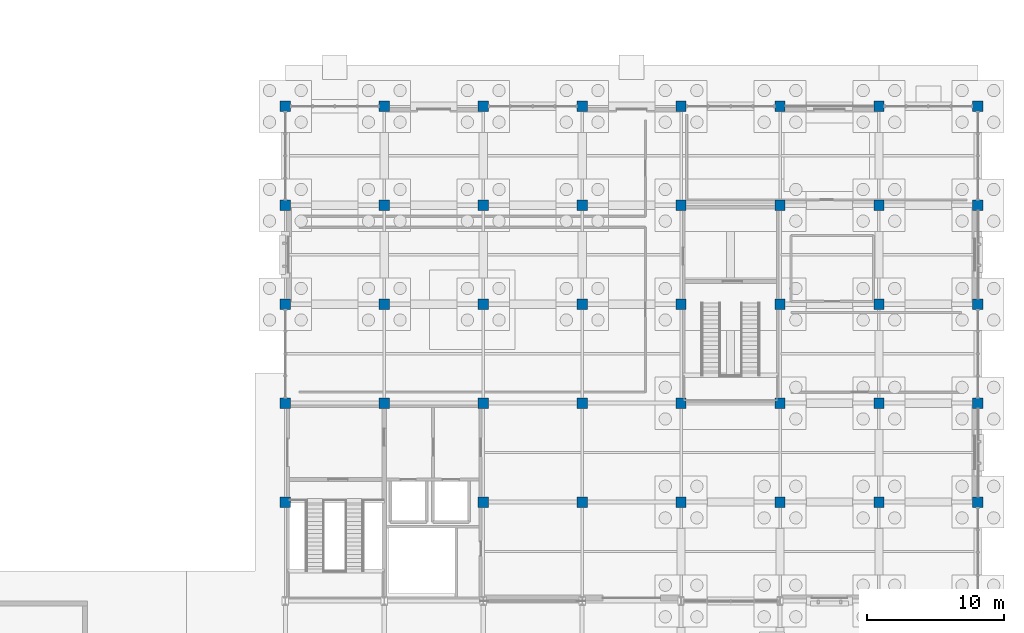
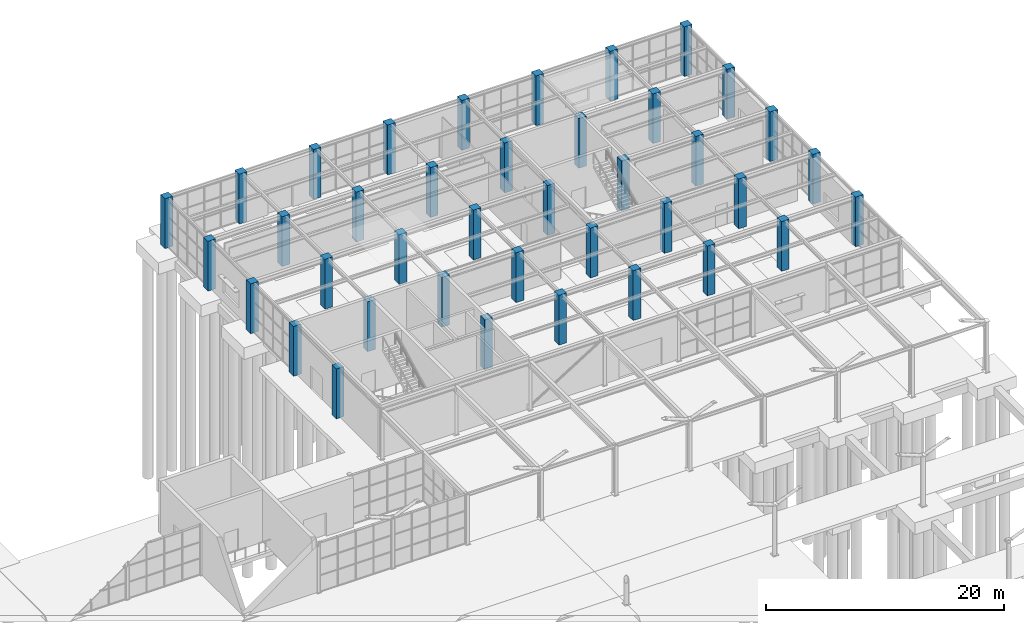
# One storey, part 19 of 75: 39 columns.
"""IFC4 building model written with IfcOpenShell, lengths in metres."""

from ifc_helpers import new_model, si_unit, direction, frame, origin, origin_2d, place, context, subcontext, project, spatial, rectangle, extrude, material, material_profile, profile_set, type_object, element, save


model = new_model("IFC4")

# Units and contexts
model_context = context("Model", 3, precision=1e-05, world=origin(), true_north=direction((0.0, 1.0)))
body_context = subcontext(model_context, "Body", "Model", "MODEL_VIEW")
ifc_project = project(units=[si_unit("LENGTHUNIT", "METRE"), si_unit("AREAUNIT", "SQUARE_METRE"), si_unit("VOLUMEUNIT", "CUBIC_METRE"), si_unit("PLANEANGLEUNIT", "RADIAN"), si_unit("MASSUNIT", "GRAM", prefix="KILO")], contexts=[model_context])

# Site, building, storey
site_placement = place(None, origin())
site = spatial("IfcSite", under=ifc_project, at=site_placement, CompositionType="ELEMENT")
building_placement = place(site_placement, origin())
building = spatial("IfcBuilding", under=site, at=building_placement, Name="Leyfeld Transit Interchange", CompositionType="ELEMENT")
storey_placement = place(building_placement, origin())
storey = spatial("IfcBuildingStorey", under=building, at=storey_placement, Name="L00", CompositionType="ELEMENT", Elevation=0.0)

# Columns
ifc_material = material(Name="Concrete C35/45", Category="concrete")
ifc_material_profile = material_profile(ifc_material, rectangle(XDim=0.75, YDim=0.75, at=origin_2d()), Name="RC 750x750")
ifc_profile_set = profile_set([ifc_material_profile], Name="Concrete C35/45")
column_type = type_object("IfcColumnType", Name="COL-RC-750", PredefinedType="COLUMN", material=ifc_profile_set)
for number, where, z_axis, x_axis, name in (
    (1, (136.800048828125, 64.800048828125, 0.0), (0.0, 0.0, 1.0), (1.0, 0.0, 0.0), "Column COL-L00-1368_0648"),
    (2, (136.800048828125, 72.0, 0.0), (0.0, 0.0, 1.0), (1.0, 0.0, 0.0), "Column COL-L00-1368_0720"),
    (3, (136.800048828125, 79.199951171875, 0.0), (0.0, 0.0, 1.0), (1.0, 0.0, 0.0), "Column COL-L00-1368_0792"),
    (4, (136.800048828125, 86.39990234375, 0.0), (0.0, 0.0, 1.0), (1.0, 0.0, 0.0), "Column COL-L00-1368_0864"),
    (5, (136.800048828125, 93.60009765625, 0.0), (0.0, 0.0, 1.0), (1.0, 0.0, 0.0), "Column COL-L00-1368_0936"),
    (6, (144.0, 72.0, 0.0), (0.0, 0.0, 1.0), (1.0, 0.0, 0.0), "Column COL-L00-1440_0720"),
    (7, (144.0, 79.199951171875, 0.0), (0.0, 0.0, 1.0), (1.0, 0.0, 0.0), "Column COL-L00-1440_0792"),
    (8, (144.0, 86.39990234375, 0.0), (0.0, 0.0, 1.0), (1.0, 0.0, 0.0), "Column COL-L00-1440_0864"),
    (9, (144.0, 93.60009765625, 0.0), (0.0, 0.0, 1.0), (1.0, 0.0, 0.0), "Column COL-L00-1440_0936"),
    (10, (151.199951171875, 64.800048828125, 0.0), (0.0, 0.0, 1.0), (1.0, 0.0, 0.0), "Column COL-L00-1512_0648"),
    (11, (151.199951171875, 72.0, 0.0), (0.0, 0.0, 1.0), (1.0, 0.0, 0.0), "Column COL-L00-1512_0720"),
    (12, (151.199951171875, 79.199951171875, 0.0), (0.0, 0.0, 1.0), (1.0, 0.0, 0.0), "Column COL-L00-1512_0792"),
    (13, (151.199951171875, 86.39990234375, 0.0), (0.0, 0.0, 1.0), (1.0, 0.0, 0.0), "Column COL-L00-1512_0864"),
    (14, (151.199951171875, 93.60009765625, 0.0), (0.0, 0.0, 1.0), (1.0, 0.0, 0.0), "Column COL-L00-1512_0936"),
    (15, (158.39990234375, 64.800048828125, 0.0), (0.0, 0.0, 1.0), (1.0, 0.0, 0.0), "Column COL-L00-1584_0648"),
    (16, (158.39990234375, 72.0, 0.0), (0.0, 0.0, 1.0), (1.0, 0.0, 0.0), "Column COL-L00-1584_0720"),
    (17, (158.39990234375, 79.199951171875, 0.0), (0.0, 0.0, 1.0), (1.0, 0.0, 0.0), "Column COL-L00-1584_0792"),
    (18, (158.39990234375, 86.39990234375, 0.0), (0.0, 0.0, 1.0), (1.0, 0.0, 0.0), "Column COL-L00-1584_0864"),
    (19, (158.39990234375, 93.60009765625, 0.0), (0.0, 0.0, 1.0), (1.0, 0.0, 0.0), "Column COL-L00-1584_0936"),
    (20, (165.60009765625, 64.800048828125, 0.0), (0.0, 0.0, 1.0), (1.0, 0.0, 0.0), "Column COL-L00-1656_0648"),
    (21, (165.60009765625, 72.0, 0.0), (0.0, 0.0, 1.0), (1.0, 0.0, 0.0), "Column COL-L00-1656_0720"),
    (22, (165.60009765625, 79.199951171875, 0.0), (0.0, 0.0, 1.0), (1.0, 0.0, 0.0), "Column COL-L00-1656_0792"),
    (23, (165.60009765625, 86.39990234375, 0.0), (0.0, 0.0, 1.0), (1.0, 0.0, 0.0), "Column COL-L00-1656_0864"),
    (24, (165.60009765625, 93.60009765625, 0.0), (0.0, 0.0, 1.0), (1.0, 0.0, 0.0), "Column COL-L00-1656_0936"),
    (25, (172.800048828125, 64.800048828125, 0.0), (0.0, 0.0, 1.0), (1.0, 0.0, 0.0), "Column COL-L00-1728_0648"),
    (26, (172.800048828125, 72.0, 0.0), (0.0, 0.0, 1.0), (1.0, 0.0, 0.0), "Column COL-L00-1728_0720"),
    (27, (172.800048828125, 79.199951171875, 0.0), (0.0, 0.0, 1.0), (1.0, 0.0, 0.0), "Column COL-L00-1728_0792"),
    (28, (172.800048828125, 86.39990234375, 0.0), (0.0, 0.0, 1.0), (1.0, 0.0, 0.0), "Column COL-L00-1728_0864"),
    (29, (172.800048828125, 93.60009765625, 0.0), (0.0, 0.0, 1.0), (1.0, 0.0, 0.0), "Column COL-L00-1728_0936"),
    (30, (180.0, 64.800048828125, 0.0), (0.0, 0.0, 1.0), (1.0, 0.0, 0.0), "Column COL-L00-1800_0648"),
    (31, (180.0, 72.0, 0.0), (0.0, 0.0, 1.0), (1.0, 0.0, 0.0), "Column COL-L00-1800_0720"),
    (32, (180.0, 79.199951171875, 0.0), (0.0, 0.0, 1.0), (1.0, 0.0, 0.0), "Column COL-L00-1800_0792"),
    (33, (180.0, 86.39990234375, 0.0), (0.0, 0.0, 1.0), (1.0, 0.0, 0.0), "Column COL-L00-1800_0864"),
    (34, (180.0, 93.60009765625, 0.0), (0.0, 0.0, 1.0), (1.0, 0.0, 0.0), "Column COL-L00-1800_0936"),
    (35, (187.199951171875, 64.800048828125, 0.0), (0.0, 0.0, 1.0), (1.0, 0.0, 0.0), "Column COL-L00-1872_0648"),
    (36, (187.199951171875, 72.0, 0.0), (0.0, 0.0, 1.0), (1.0, 0.0, 0.0), "Column COL-L00-1872_0720"),
    (37, (187.199951171875, 79.199951171875, 0.0), (0.0, 0.0, 1.0), (1.0, 0.0, 0.0), "Column COL-L00-1872_0792"),
    (38, (187.199951171875, 86.39990234375, 0.0), (0.0, 0.0, 1.0), (1.0, 0.0, 0.0), "Column COL-L00-1872_0864"),
    (39, (187.199951171875, 93.60009765625, 0.0), (0.0, 0.0, 1.0), (1.0, 0.0, 0.0), "Column COL-L00-1872_0936"),
):
    element("IfcColumn", number, at=place(storey_placement, frame(where, z_axis=z_axis, x_axis=x_axis)), inside=storey, type_object=column_type, Name=name, PredefinedType="COLUMN", context=body_context, shape_type="SweptSolid", body=[
        extrude(rectangle(XDim=0.75, YDim=0.75, at=origin_2d()), origin(), (0.0, 0.0, 1.0), 5.10009765625),
    ])

save(model, "model.ifc")
